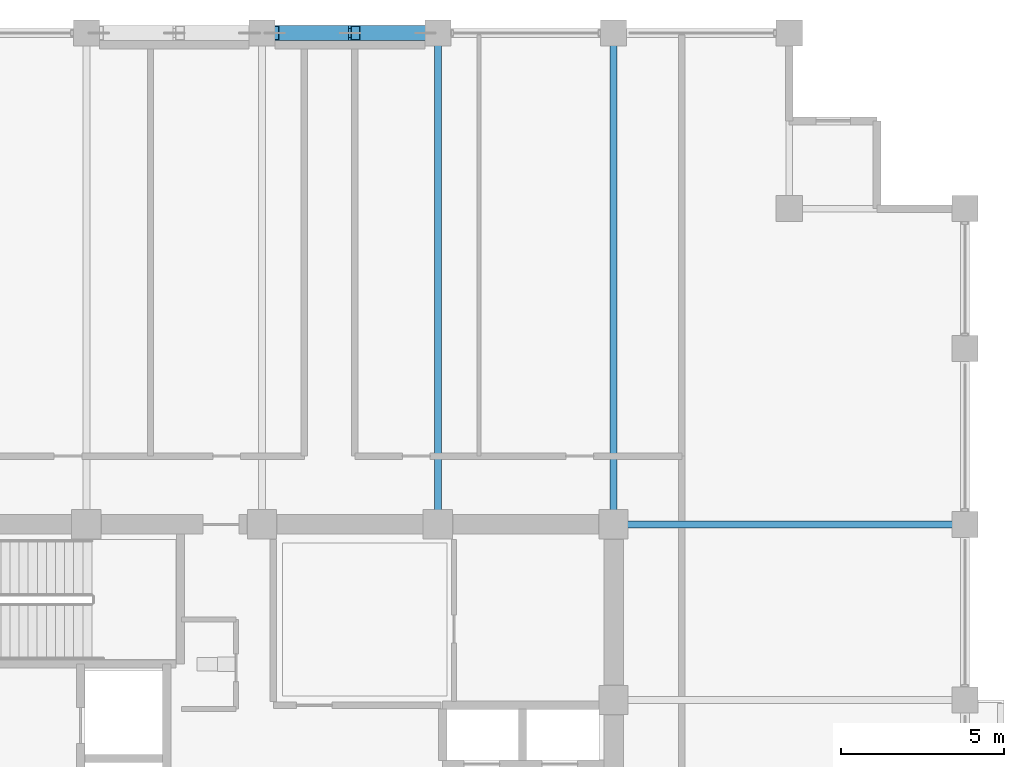
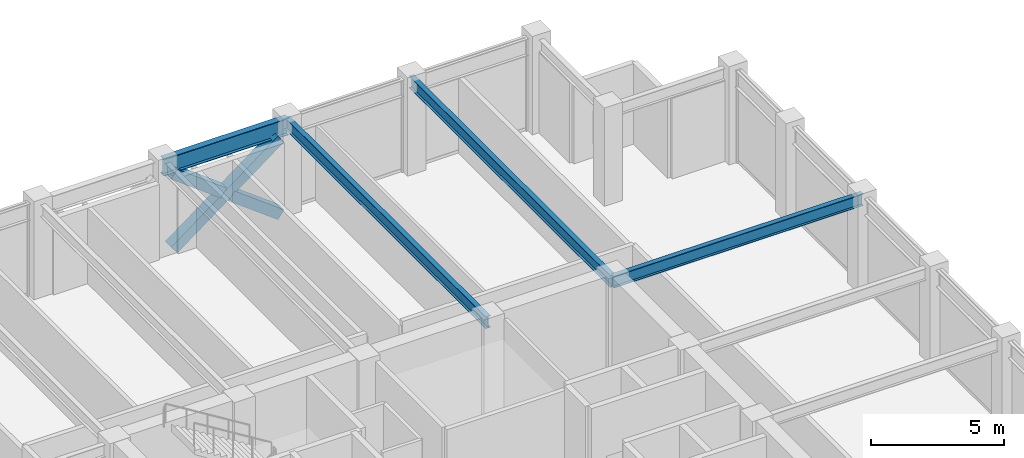
# One storey, part 19 of 28: 4 beams, 3 members.
"""IFC4 building model written with IfcOpenShell, lengths in metres."""

from ifc_helpers import new_model, si_unit, direction, frame, origin, origin_2d, place, context, subcontext, project, spatial, hollow_rectangle, i_section, extrude, material, material_profile, profile_set, type_object, element, save


model = new_model("IFC4")

# Units and contexts
model_context = context("Model", 3, precision=1e-05, world=origin(), true_north=direction((0.0, 1.0)))
body_context = subcontext(model_context, "Body", "Model", "MODEL_VIEW")
ifc_project = project(units=[si_unit("LENGTHUNIT", "METRE"), si_unit("AREAUNIT", "SQUARE_METRE"), si_unit("VOLUMEUNIT", "CUBIC_METRE"), si_unit("PLANEANGLEUNIT", "RADIAN"), si_unit("MASSUNIT", "GRAM", prefix="KILO")], contexts=[model_context])

# Site, building, storey
site_placement = place(None, origin())
site = spatial("IfcSite", under=ifc_project, at=site_placement, CompositionType="ELEMENT")
building_placement = place(site_placement, origin())
building = spatial("IfcBuilding", under=site, at=building_placement, Name="Surkhivell Harbour Commons", CompositionType="ELEMENT")
storey_placement = place(building_placement, frame((0.0, 0.0, 249.75)))
storey = spatial("IfcBuildingStorey", under=building, at=storey_placement, Name="L65", CompositionType="ELEMENT", Elevation=249.75)

# Beams
ifc_material_1 = material(Name="Steel S355", Category="steel")
ifc_material_profile_1 = material_profile(ifc_material_1, i_section(OverallWidth=0.2119140625, OverallDepth=0.5439453125, WebThickness=0.0126953125, FlangeThickness=0.021240234375, at=origin_2d()), Name="UB533x210x122")
ifc_profile_set_1 = profile_set([ifc_material_profile_1], Name="Steel S355")
beam_type_1 = type_object("IfcBeamType", Name="BM-GRD-533A", PredefinedType="BEAM", material=ifc_profile_set_1)
for number, where, z_axis, x_axis, name in (
    (1, (5.39990234375, 10.800048828125, 3.97802734375), (0.0, 1.0, 0.0), (-1.0, 0.0, 0.0), "L65 Floor Girder (5.4,10.8)"),
    (2, (10.800048828125, 10.800048828125, 3.97802734375), (0.0, 1.0, 0.0), (-1.0, 0.0, 0.0), "L65 Floor Girder (10.8,10.8)"),
):
    element("IfcBeam", number, at=place(storey_placement, frame(where, z_axis=z_axis, x_axis=x_axis)), inside=storey, type_object=beam_type_1, Name=name, PredefinedType="BEAM", context=body_context, shape_type="SweptSolid", body=[
        extrude(i_section(OverallWidth=0.2119140625, OverallDepth=0.5439453125, WebThickness=0.0126953125, FlangeThickness=0.021240234375, at=origin_2d()), origin(), (0.0, 0.0, 1.0), 15.099853515625),
    ])
beam_1_placement = place(storey_placement, frame((10.800048828125, 10.800048828125, 3.97802734375), z_axis=(1.0, 0.0, 0.0), x_axis=(0.0, 1.0, 0.0)))
element("IfcBeam", 3, at=beam_1_placement, inside=storey, type_object=beam_type_1, Name="L65 Floor Girder (10.8,10.8)", PredefinedType="BEAM", context=body_context, shape_type="SweptSolid", body=[
    extrude(i_section(OverallWidth=0.2119140625, OverallDepth=0.5439453125, WebThickness=0.0126953125, FlangeThickness=0.021240234375, at=origin_2d()), origin(), (0.0, 0.0, 1.0), 10.800048828125),
])
ifc_material_profile_2 = material_profile(ifc_material_1, i_section(OverallWidth=0.26806640625, OverallDepth=0.77001953125, WebThickness=0.015625, FlangeThickness=0.025390625, at=origin_2d()), Name="UB762x267x197")
ifc_profile_set_2 = profile_set([ifc_material_profile_2], Name="Steel S355")
beam_type_2 = type_object("IfcBeamType", Name="BM-SPN-762", PredefinedType="SPANDREL", material=ifc_profile_set_2)
beam_2_placement = place(storey_placement, frame((0.0, 25.89990234375, 3.864990234375), z_axis=(1.0, 0.0, 0.0), x_axis=(0.0, 1.0, 0.0)))
element("IfcBeam", 4, at=beam_2_placement, inside=storey, type_object=beam_type_2, Name="L65 Tube Spandrel (-0.0,25.9)", PredefinedType="SPANDREL", context=body_context, shape_type="SweptSolid", body=[
    extrude(i_section(OverallWidth=0.26806640625, OverallDepth=0.77001953125, WebThickness=0.015625, FlangeThickness=0.025390625, at=origin_2d()), origin(), (0.0, 0.0, 1.0), 5.39990234375),
])

# Members
ifc_material_2 = material(Name="Steel S460", Category="steel")
ifc_material_profile_3 = material_profile(ifc_material_2, hollow_rectangle(XDim=0.449951171875, YDim=0.449951171875, WallThickness=0.02197265625, at=origin_2d()), Name="SHS450x450x22")
ifc_profile_set_3 = profile_set([ifc_material_profile_3], Name="Steel S460")
member_type = type_object("IfcMemberType", Name="MEM-BRC-SHS450", PredefinedType="BRACE", material=ifc_profile_set_3)
member_1_placement = place(storey_placement, frame((0.385009765625, 25.89990234375, 0.008056640625), z_axis=(0.799716526724, 0.0, 0.600377778473), x_axis=(0.0, 1.0, 0.0)))
element("IfcMember", 5, at=member_1_placement, inside=storey, type_object=member_type, Name="L65 Perimeter Mega-Brace MB- 04", PredefinedType="BRACE", context=body_context, shape_type="SweptSolid", body=[
    extrude(hollow_rectangle(XDim=0.449951171875, YDim=0.449951171875, WallThickness=0.02197265625, at=origin_2d()), origin(), (0.0, 0.0, 1.0), 5.789306640625),
])
member_2_placement = place(storey_placement, frame((5.014892578125, 25.89990234375, 0.008056640625), z_axis=(-0.799715534436, 0.0, 0.60037910022), x_axis=(0.0, -1.0, 0.0)))
element("IfcMember", 6, at=member_2_placement, inside=storey, type_object=member_type, Name="L65 Perimeter Mega-Brace MB- 05", PredefinedType="BRACE", context=body_context, shape_type="SweptSolid", body=[
    extrude(hollow_rectangle(XDim=0.449951171875, YDim=0.449951171875, WallThickness=0.02197265625, at=origin_2d()), origin(), (0.0, 0.0, 1.0), 2.678466796875),
])
member_3_placement = place(storey_placement, frame((2.52734375, 25.89990234375, 1.875732421875), z_axis=(-0.799748384904, 0.0, 0.600335340326), x_axis=(0.0, -1.0, 0.0)))
element("IfcMember", 7, at=member_3_placement, inside=storey, type_object=member_type, Name="L65 Perimeter Mega-Brace MB- 06", PredefinedType="BRACE", context=body_context, shape_type="SweptSolid", body=[
    extrude(hollow_rectangle(XDim=0.449951171875, YDim=0.449951171875, WallThickness=0.02197265625, at=origin_2d()), origin(), (0.0, 0.0, 1.0), 2.6787109375),
])

save(model, "model.ifc")
